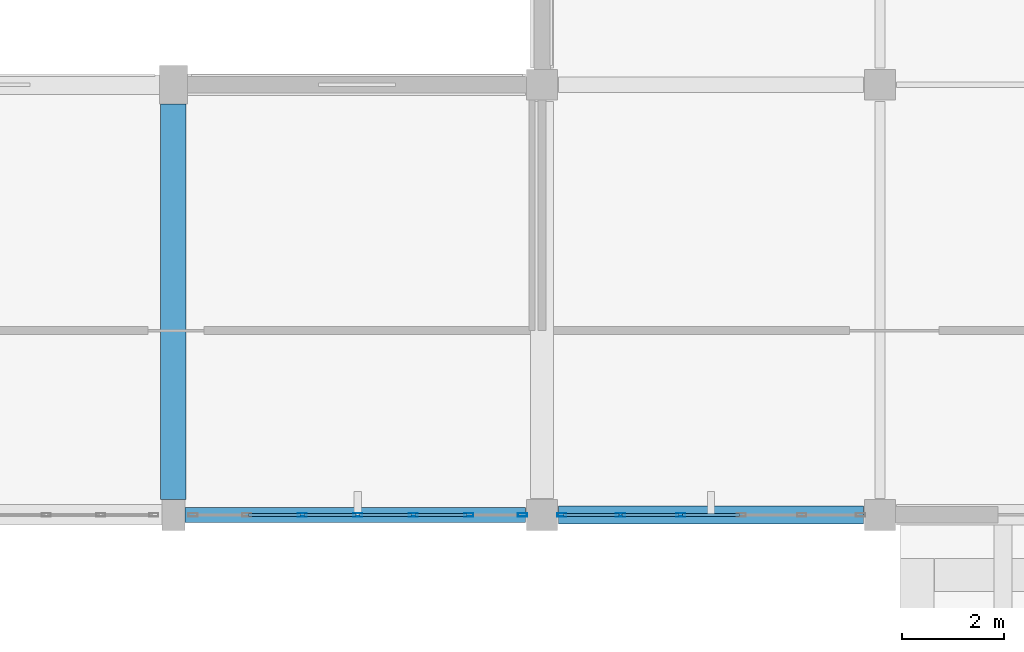
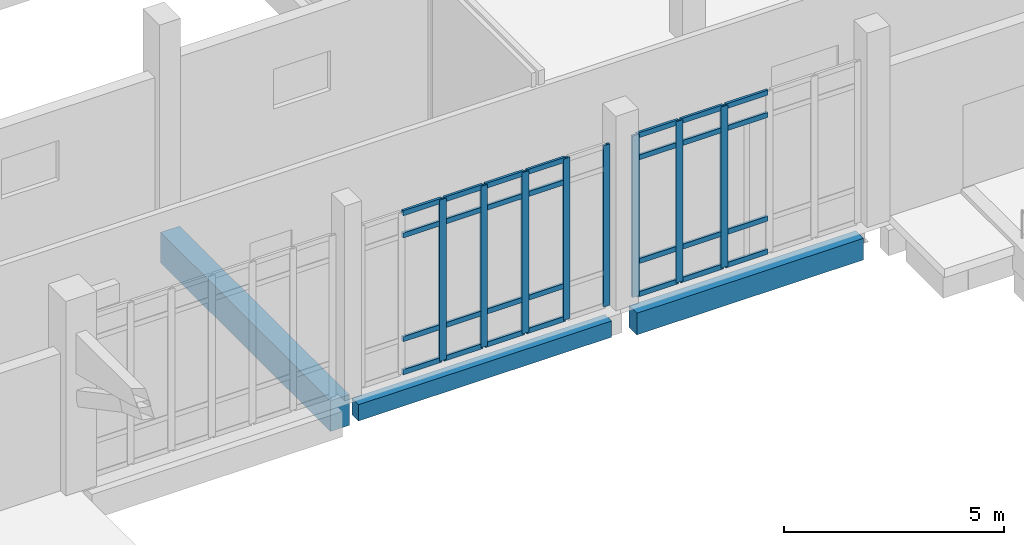
# One storey, part 54 of 110: 36 members, 3 beams, 2 elements without a shape of their own.
"""IFC4 building model written with IfcOpenShell, lengths in metres."""

from ifc_helpers import new_model, si_unit, direction, frame, origin, origin_2d, place, context, subcontext, project, spatial, rectangle, hollow_rectangle, extrude, material, material_profile, profile_set, type_object, element, aggregate, save


model = new_model("IFC4")

# Units and contexts
model_context = context("Model", 3, precision=1e-05, world=origin(), true_north=direction((0.0, 1.0)))
body_context = subcontext(model_context, "Body", "Model", "MODEL_VIEW")
ifc_project = project(units=[si_unit("LENGTHUNIT", "METRE"), si_unit("AREAUNIT", "SQUARE_METRE"), si_unit("VOLUMEUNIT", "CUBIC_METRE"), si_unit("PLANEANGLEUNIT", "RADIAN"), si_unit("MASSUNIT", "GRAM", prefix="KILO")], contexts=[model_context])

# Site, building, storey
site_placement = place(None, origin())
site = spatial("IfcSite", under=ifc_project, at=site_placement, CompositionType="ELEMENT")
building_placement = place(site_placement, origin())
building = spatial("IfcBuilding", under=site, at=building_placement, Name="Kalluvel Institute of Natural Sciences", CompositionType="ELEMENT")
storey_placement = place(building_placement, origin())
storey = spatial("IfcBuildingStorey", under=building, at=storey_placement, Name="L00", CompositionType="ELEMENT", Elevation=0.0)

# Beam
ifc_material_1 = material(Name="Concrete M50", Category="concrete")
ifc_material_profile_1 = material_profile(ifc_material_1, rectangle(XDim=0.5, YDim=0.85009765625, at=origin_2d()), Name="RCB 500x850")
ifc_profile_set_1 = profile_set([ifc_material_profile_1], Name="Concrete M50")
beam_type_1 = type_object("IfcBeamType", Name="BM-RC500x850", PredefinedType="BEAM", material=ifc_profile_set_1)
beam_1_placement = place(storey_placement, frame((122.0, 103.10009765625, -0.784912109375), z_axis=(0.0, 1.0, 0.0), x_axis=(-1.0, 0.0, 0.0)))
element("IfcBeam", 1, at=beam_1_placement, inside=storey, type_object=beam_type_1, Name="L00 girder GIR-L00-NS-X1220-Y1028", PredefinedType="BEAM", context=body_context, shape_type="SweptSolid", body=[
    extrude(rectangle(XDim=0.5, YDim=0.85009765625, at=origin_2d()), origin(), (0.0, 0.0, 1.0), 7.724853515625),
])

# Curtain wall, members
ifc_material_2 = material(Name="Aluminium AW-6063 T6", Category="aluminium")
curtain_wall_type = type_object("IfcCurtainWallType", Name="CW-CLN-54", PredefinedType="USERDEFINED", material=ifc_material_2)
curtain_wall_1_placement = place(storey_placement, origin())
curtain_wall_1 = element("IfcCurtainWall", 2, at=curtain_wall_1_placement, inside=storey, type_object=curtain_wall_type, Name="L00 Gothic lancet curtain wall CWA-L00-X1224-Y1028", ObjectType="UNITISED LANCET FACADE", PredefinedType="USERDEFINED")
ifc_material_profile_2 = material_profile(ifc_material_2, hollow_rectangle(XDim=0.06494140625, YDim=0.179931640625, WallThickness=0.00439453125, at=origin_2d()), Name="CWM 65x180")
ifc_profile_set_2 = profile_set([ifc_material_profile_2], Name="Aluminium AW-6063 T6")
member_type_1 = type_object("IfcMemberType", Name="CWM-65x180", PredefinedType="MULLION", material=ifc_profile_set_2)
member_1_placement = place(storey_placement, frame((124.5166015625, 102.800048828125, 0.0), z_axis=(0.0, 0.0, 1.0), x_axis=(0.0, 1.0, 0.0)))
member_1 = element("IfcMember", 3, at=member_1_placement, type_object=member_type_1, Name="CW-09 mullion 3", PredefinedType="MULLION", context=body_context, shape_type="SweptSolid", body=[
    extrude(hollow_rectangle(XDim=0.06494140625, YDim=0.179931640625, WallThickness=0.00439453125, at=origin_2d()), origin(), (0.0, 0.0, 1.0), 4.47998046875),
])
member_2_placement = place(storey_placement, frame((125.60009765625, 102.800048828125, 0.0), z_axis=(0.0, 0.0, 1.0), x_axis=(0.0, 1.0, 0.0)))
member_2 = element("IfcMember", 4, at=member_2_placement, type_object=member_type_1, Name="CW-09 mullion 4", PredefinedType="MULLION", context=body_context, shape_type="SweptSolid", body=[
    extrude(hollow_rectangle(XDim=0.06494140625, YDim=0.179931640625, WallThickness=0.00439453125, at=origin_2d()), origin(), (0.0, 0.0, 1.0), 4.47998046875),
])
member_3_placement = place(storey_placement, frame((126.683349609375, 102.800048828125, 0.0), z_axis=(0.0, 0.0, 1.0), x_axis=(0.0, 1.0, 0.0)))
member_3 = element("IfcMember", 5, at=member_3_placement, type_object=member_type_1, Name="CW-09 mullion 5", PredefinedType="MULLION", context=body_context, shape_type="SweptSolid", body=[
    extrude(hollow_rectangle(XDim=0.06494140625, YDim=0.179931640625, WallThickness=0.00439453125, at=origin_2d()), origin(), (0.0, 0.0, 1.0), 4.47998046875),
])
member_4_placement = place(storey_placement, frame((127.7666015625, 102.800048828125, 0.0), z_axis=(0.0, 0.0, 1.0), x_axis=(0.0, 1.0, 0.0)))
member_4 = element("IfcMember", 6, at=member_4_placement, type_object=member_type_1, Name="CW-09 mullion 6", PredefinedType="MULLION", context=body_context, shape_type="SweptSolid", body=[
    extrude(hollow_rectangle(XDim=0.06494140625, YDim=0.179931640625, WallThickness=0.00439453125, at=origin_2d()), origin(), (0.0, 0.0, 1.0), 4.47998046875),
])
member_5_placement = place(storey_placement, frame((128.8173828125, 102.800048828125, 0.0), z_axis=(0.0, 0.0, 1.0), x_axis=(0.0, 1.0, 0.0)))
member_5 = element("IfcMember", 7, at=member_5_placement, type_object=member_type_1, Name="CW-09 mullion 7", PredefinedType="MULLION", context=body_context, shape_type="SweptSolid", body=[
    extrude(hollow_rectangle(XDim=0.06494140625, YDim=0.179931640625, WallThickness=0.00439453125, at=origin_2d()), origin(), (0.0, 0.0, 1.0), 4.47998046875),
])

curtain_wall_2_placement = place(storey_placement, origin())
curtain_wall_2 = element("IfcCurtainWall", 8, at=curtain_wall_2_placement, inside=storey, type_object=curtain_wall_type, Name="L00 Gothic lancet curtain wall CWA-L00-X1296-Y1028", ObjectType="UNITISED LANCET FACADE", PredefinedType="USERDEFINED")
member_6_placement = place(storey_placement, frame((129.58251953125, 102.800048828125, 0.0), z_axis=(0.0, 0.0, 1.0), x_axis=(0.0, 1.0, 0.0)))
member_6 = element("IfcMember", 9, at=member_6_placement, type_object=member_type_1, Name="CW-09 mullion 1", PredefinedType="MULLION", context=body_context, shape_type="SweptSolid", body=[
    extrude(hollow_rectangle(XDim=0.06494140625, YDim=0.179931640625, WallThickness=0.00439453125, at=origin_2d()), origin(), (0.0, 0.0, 1.0), 4.47998046875),
])
member_7_placement = place(storey_placement, frame((130.72998046875, 102.800048828125, 0.0), z_axis=(0.0, 0.0, 1.0), x_axis=(0.0, 1.0, 0.0)))
member_7 = element("IfcMember", 10, at=member_7_placement, type_object=member_type_1, Name="CW-09 mullion 2", PredefinedType="MULLION", context=body_context, shape_type="SweptSolid", body=[
    extrude(hollow_rectangle(XDim=0.06494140625, YDim=0.179931640625, WallThickness=0.00439453125, at=origin_2d()), origin(), (0.0, 0.0, 1.0), 4.47998046875),
])
member_8_placement = place(storey_placement, frame((131.909912109375, 102.800048828125, 0.0), z_axis=(0.0, 0.0, 1.0), x_axis=(0.0, 1.0, 0.0)))
member_8 = element("IfcMember", 11, at=member_8_placement, type_object=member_type_1, Name="CW-09 mullion 3", PredefinedType="MULLION", context=body_context, shape_type="SweptSolid", body=[
    extrude(hollow_rectangle(XDim=0.06494140625, YDim=0.179931640625, WallThickness=0.00439453125, at=origin_2d()), origin(), (0.0, 0.0, 1.0), 4.47998046875),
])

# Member
ifc_material_profile_3 = material_profile(ifc_material_2, hollow_rectangle(XDim=0.06494140625, YDim=0.139892578125, WallThickness=0.00439453125, at=origin_2d()), Name="CWT 65x140")
ifc_profile_set_3 = profile_set([ifc_material_profile_3], Name="Aluminium AW-6063 T6")
member_type_2 = type_object("IfcMemberType", Name="CWT-65x140", PredefinedType="USERDEFINED", material=ifc_profile_set_3)
member_9_placement = place(storey_placement, frame((123.4658203125, 102.800048828125, 0.032470703125), z_axis=(1.0, 0.0, 0.0), x_axis=(0.0, 1.0, 0.0)))
member_9 = element("IfcMember", 12, at=member_9_placement, type_object=member_type_2, Name="CW-09 transom 2.1", ObjectType="TRANSOM", PredefinedType="USERDEFINED", context=body_context, shape_type="SweptSolid", body=[
    extrude(hollow_rectangle(XDim=0.06494140625, YDim=0.139892578125, WallThickness=0.00439453125, at=origin_2d()), origin(), (0.0, 0.0, 1.0), 1.018310546875),
])

member_10_placement = place(storey_placement, frame((123.4658203125, 102.800048828125, 0.949951171875), z_axis=(1.0, 0.0, 0.0), x_axis=(0.0, 1.0, 0.0)))
member_10 = element("IfcMember", 13, at=member_10_placement, type_object=member_type_2, Name="CW-09 transom 2.2", ObjectType="TRANSOM", PredefinedType="USERDEFINED", context=body_context, shape_type="SweptSolid", body=[
    extrude(hollow_rectangle(XDim=0.06494140625, YDim=0.139892578125, WallThickness=0.00439453125, at=origin_2d()), origin(), (0.0, 0.0, 1.0), 1.018310546875),
])

member_11_placement = place(storey_placement, frame((123.4658203125, 102.800048828125, 3.830078125), z_axis=(1.0, 0.0, 0.0), x_axis=(0.0, 1.0, 0.0)))
member_11 = element("IfcMember", 14, at=member_11_placement, type_object=member_type_2, Name="CW-09 transom 2.3", ObjectType="TRANSOM", PredefinedType="USERDEFINED", context=body_context, shape_type="SweptSolid", body=[
    extrude(hollow_rectangle(XDim=0.06494140625, YDim=0.139892578125, WallThickness=0.00439453125, at=origin_2d()), origin(), (0.0, 0.0, 1.0), 1.018310546875),
])

member_12_placement = place(storey_placement, frame((123.4658203125, 102.800048828125, 4.447509765625), z_axis=(1.0, 0.0, 0.0), x_axis=(0.0, 1.0, 0.0)))
member_12 = element("IfcMember", 15, at=member_12_placement, type_object=member_type_2, Name="CW-09 transom 2.4", ObjectType="TRANSOM", PredefinedType="USERDEFINED", context=body_context, shape_type="SweptSolid", body=[
    extrude(hollow_rectangle(XDim=0.06494140625, YDim=0.139892578125, WallThickness=0.00439453125, at=origin_2d()), origin(), (0.0, 0.0, 1.0), 1.018310546875),
])

member_13_placement = place(storey_placement, frame((124.549072265625, 102.800048828125, 0.032470703125), z_axis=(1.0, 0.0, 0.0), x_axis=(0.0, 1.0, 0.0)))
member_13 = element("IfcMember", 16, at=member_13_placement, type_object=member_type_2, Name="CW-09 transom 3.1", ObjectType="TRANSOM", PredefinedType="USERDEFINED", context=body_context, shape_type="SweptSolid", body=[
    extrude(hollow_rectangle(XDim=0.06494140625, YDim=0.139892578125, WallThickness=0.00439453125, at=origin_2d()), origin(), (0.0, 0.0, 1.0), 1.018310546875),
])

member_14_placement = place(storey_placement, frame((124.549072265625, 102.800048828125, 0.949951171875), z_axis=(1.0, 0.0, 0.0), x_axis=(0.0, 1.0, 0.0)))
member_14 = element("IfcMember", 17, at=member_14_placement, type_object=member_type_2, Name="CW-09 transom 3.2", ObjectType="TRANSOM", PredefinedType="USERDEFINED", context=body_context, shape_type="SweptSolid", body=[
    extrude(hollow_rectangle(XDim=0.06494140625, YDim=0.139892578125, WallThickness=0.00439453125, at=origin_2d()), origin(), (0.0, 0.0, 1.0), 1.018310546875),
])

member_15_placement = place(storey_placement, frame((124.549072265625, 102.800048828125, 3.830078125), z_axis=(1.0, 0.0, 0.0), x_axis=(0.0, 1.0, 0.0)))
member_15 = element("IfcMember", 18, at=member_15_placement, type_object=member_type_2, Name="CW-09 transom 3.3", ObjectType="TRANSOM", PredefinedType="USERDEFINED", context=body_context, shape_type="SweptSolid", body=[
    extrude(hollow_rectangle(XDim=0.06494140625, YDim=0.139892578125, WallThickness=0.00439453125, at=origin_2d()), origin(), (0.0, 0.0, 1.0), 1.018310546875),
])

member_16_placement = place(storey_placement, frame((124.549072265625, 102.800048828125, 4.447509765625), z_axis=(1.0, 0.0, 0.0), x_axis=(0.0, 1.0, 0.0)))
member_16 = element("IfcMember", 19, at=member_16_placement, type_object=member_type_2, Name="CW-09 transom 3.4", ObjectType="TRANSOM", PredefinedType="USERDEFINED", context=body_context, shape_type="SweptSolid", body=[
    extrude(hollow_rectangle(XDim=0.06494140625, YDim=0.139892578125, WallThickness=0.00439453125, at=origin_2d()), origin(), (0.0, 0.0, 1.0), 1.018310546875),
])

member_17_placement = place(storey_placement, frame((125.632568359375, 102.800048828125, 0.032470703125), z_axis=(1.0, 0.0, 0.0), x_axis=(0.0, 1.0, 0.0)))
member_17 = element("IfcMember", 20, at=member_17_placement, type_object=member_type_2, Name="CW-09 transom 4.1", ObjectType="TRANSOM", PredefinedType="USERDEFINED", context=body_context, shape_type="SweptSolid", body=[
    extrude(hollow_rectangle(XDim=0.06494140625, YDim=0.139892578125, WallThickness=0.00439453125, at=origin_2d()), origin(), (0.0, 0.0, 1.0), 1.018310546875),
])

member_18_placement = place(storey_placement, frame((125.632568359375, 102.800048828125, 0.949951171875), z_axis=(1.0, 0.0, 0.0), x_axis=(0.0, 1.0, 0.0)))
member_18 = element("IfcMember", 21, at=member_18_placement, type_object=member_type_2, Name="CW-09 transom 4.2", ObjectType="TRANSOM", PredefinedType="USERDEFINED", context=body_context, shape_type="SweptSolid", body=[
    extrude(hollow_rectangle(XDim=0.06494140625, YDim=0.139892578125, WallThickness=0.00439453125, at=origin_2d()), origin(), (0.0, 0.0, 1.0), 1.018310546875),
])

member_19_placement = place(storey_placement, frame((125.632568359375, 102.800048828125, 3.830078125), z_axis=(1.0, 0.0, 0.0), x_axis=(0.0, 1.0, 0.0)))
member_19 = element("IfcMember", 22, at=member_19_placement, type_object=member_type_2, Name="CW-09 transom 4.3", ObjectType="TRANSOM", PredefinedType="USERDEFINED", context=body_context, shape_type="SweptSolid", body=[
    extrude(hollow_rectangle(XDim=0.06494140625, YDim=0.139892578125, WallThickness=0.00439453125, at=origin_2d()), origin(), (0.0, 0.0, 1.0), 1.018310546875),
])

member_20_placement = place(storey_placement, frame((125.632568359375, 102.800048828125, 4.447509765625), z_axis=(1.0, 0.0, 0.0), x_axis=(0.0, 1.0, 0.0)))
member_20 = element("IfcMember", 23, at=member_20_placement, type_object=member_type_2, Name="CW-09 transom 4.4", ObjectType="TRANSOM", PredefinedType="USERDEFINED", context=body_context, shape_type="SweptSolid", body=[
    extrude(hollow_rectangle(XDim=0.06494140625, YDim=0.139892578125, WallThickness=0.00439453125, at=origin_2d()), origin(), (0.0, 0.0, 1.0), 1.018310546875),
])

member_21_placement = place(storey_placement, frame((126.7158203125, 102.800048828125, 0.032470703125), z_axis=(1.0, 0.0, 0.0), x_axis=(0.0, 1.0, 0.0)))
member_21 = element("IfcMember", 24, at=member_21_placement, type_object=member_type_2, Name="CW-09 transom 5.1", ObjectType="TRANSOM", PredefinedType="USERDEFINED", context=body_context, shape_type="SweptSolid", body=[
    extrude(hollow_rectangle(XDim=0.06494140625, YDim=0.139892578125, WallThickness=0.00439453125, at=origin_2d()), origin(), (0.0, 0.0, 1.0), 1.018310546875),
])

member_22_placement = place(storey_placement, frame((126.7158203125, 102.800048828125, 0.949951171875), z_axis=(1.0, 0.0, 0.0), x_axis=(0.0, 1.0, 0.0)))
member_22 = element("IfcMember", 25, at=member_22_placement, type_object=member_type_2, Name="CW-09 transom 5.2", ObjectType="TRANSOM", PredefinedType="USERDEFINED", context=body_context, shape_type="SweptSolid", body=[
    extrude(hollow_rectangle(XDim=0.06494140625, YDim=0.139892578125, WallThickness=0.00439453125, at=origin_2d()), origin(), (0.0, 0.0, 1.0), 1.018310546875),
])

member_23_placement = place(storey_placement, frame((126.7158203125, 102.800048828125, 3.830078125), z_axis=(1.0, 0.0, 0.0), x_axis=(0.0, 1.0, 0.0)))
member_23 = element("IfcMember", 26, at=member_23_placement, type_object=member_type_2, Name="CW-09 transom 5.3", ObjectType="TRANSOM", PredefinedType="USERDEFINED", context=body_context, shape_type="SweptSolid", body=[
    extrude(hollow_rectangle(XDim=0.06494140625, YDim=0.139892578125, WallThickness=0.00439453125, at=origin_2d()), origin(), (0.0, 0.0, 1.0), 1.018310546875),
])

member_24_placement = place(storey_placement, frame((126.7158203125, 102.800048828125, 4.447509765625), z_axis=(1.0, 0.0, 0.0), x_axis=(0.0, 1.0, 0.0)))
member_24 = element("IfcMember", 27, at=member_24_placement, type_object=member_type_2, Name="CW-09 transom 5.4", ObjectType="TRANSOM", PredefinedType="USERDEFINED", context=body_context, shape_type="SweptSolid", body=[
    extrude(hollow_rectangle(XDim=0.06494140625, YDim=0.139892578125, WallThickness=0.00439453125, at=origin_2d()), origin(), (0.0, 0.0, 1.0), 1.018310546875),
])

aggregate(curtain_wall_1, [member_1, member_2, member_3, member_4, member_5, member_9, member_10, member_11, member_12, member_13, member_14, member_15, member_16, member_17, member_18, member_19, member_20, member_21, member_22, member_23, member_24])

member_25_placement = place(storey_placement, frame((129.614990234375, 102.800048828125, 0.032470703125), z_axis=(1.0, 0.0, 0.0), x_axis=(0.0, 1.0, 0.0)))
member_25 = element("IfcMember", 28, at=member_25_placement, type_object=member_type_2, Name="CW-09 transom 1.1", ObjectType="TRANSOM", PredefinedType="USERDEFINED", context=body_context, shape_type="SweptSolid", body=[
    extrude(hollow_rectangle(XDim=0.06494140625, YDim=0.139892578125, WallThickness=0.00439453125, at=origin_2d()), origin(), (0.0, 0.0, 1.0), 1.08251953125),
])

member_26_placement = place(storey_placement, frame((129.614990234375, 102.800048828125, 0.949951171875), z_axis=(1.0, 0.0, 0.0), x_axis=(0.0, 1.0, 0.0)))
member_26 = element("IfcMember", 29, at=member_26_placement, type_object=member_type_2, Name="CW-09 transom 1.2", ObjectType="TRANSOM", PredefinedType="USERDEFINED", context=body_context, shape_type="SweptSolid", body=[
    extrude(hollow_rectangle(XDim=0.06494140625, YDim=0.139892578125, WallThickness=0.00439453125, at=origin_2d()), origin(), (0.0, 0.0, 1.0), 1.08251953125),
])

member_27_placement = place(storey_placement, frame((129.614990234375, 102.800048828125, 3.830078125), z_axis=(1.0, 0.0, 0.0), x_axis=(0.0, 1.0, 0.0)))
member_27 = element("IfcMember", 30, at=member_27_placement, type_object=member_type_2, Name="CW-09 transom 1.3", ObjectType="TRANSOM", PredefinedType="USERDEFINED", context=body_context, shape_type="SweptSolid", body=[
    extrude(hollow_rectangle(XDim=0.06494140625, YDim=0.139892578125, WallThickness=0.00439453125, at=origin_2d()), origin(), (0.0, 0.0, 1.0), 1.08251953125),
])

member_28_placement = place(storey_placement, frame((129.614990234375, 102.800048828125, 4.447509765625), z_axis=(1.0, 0.0, 0.0), x_axis=(0.0, 1.0, 0.0)))
member_28 = element("IfcMember", 31, at=member_28_placement, type_object=member_type_2, Name="CW-09 transom 1.4", ObjectType="TRANSOM", PredefinedType="USERDEFINED", context=body_context, shape_type="SweptSolid", body=[
    extrude(hollow_rectangle(XDim=0.06494140625, YDim=0.139892578125, WallThickness=0.00439453125, at=origin_2d()), origin(), (0.0, 0.0, 1.0), 1.08251953125),
])

member_29_placement = place(storey_placement, frame((130.762451171875, 102.800048828125, 0.032470703125), z_axis=(1.0, 0.0, 0.0), x_axis=(0.0, 1.0, 0.0)))
member_29 = element("IfcMember", 32, at=member_29_placement, type_object=member_type_2, Name="CW-09 transom 2.1", ObjectType="TRANSOM", PredefinedType="USERDEFINED", context=body_context, shape_type="SweptSolid", body=[
    extrude(hollow_rectangle(XDim=0.06494140625, YDim=0.139892578125, WallThickness=0.00439453125, at=origin_2d()), origin(), (0.0, 0.0, 1.0), 1.114990234375),
])

member_30_placement = place(storey_placement, frame((130.762451171875, 102.800048828125, 0.949951171875), z_axis=(1.0, 0.0, 0.0), x_axis=(0.0, 1.0, 0.0)))
member_30 = element("IfcMember", 33, at=member_30_placement, type_object=member_type_2, Name="CW-09 transom 2.2", ObjectType="TRANSOM", PredefinedType="USERDEFINED", context=body_context, shape_type="SweptSolid", body=[
    extrude(hollow_rectangle(XDim=0.06494140625, YDim=0.139892578125, WallThickness=0.00439453125, at=origin_2d()), origin(), (0.0, 0.0, 1.0), 1.114990234375),
])

member_31_placement = place(storey_placement, frame((130.762451171875, 102.800048828125, 3.830078125), z_axis=(1.0, 0.0, 0.0), x_axis=(0.0, 1.0, 0.0)))
member_31 = element("IfcMember", 34, at=member_31_placement, type_object=member_type_2, Name="CW-09 transom 2.3", ObjectType="TRANSOM", PredefinedType="USERDEFINED", context=body_context, shape_type="SweptSolid", body=[
    extrude(hollow_rectangle(XDim=0.06494140625, YDim=0.139892578125, WallThickness=0.00439453125, at=origin_2d()), origin(), (0.0, 0.0, 1.0), 1.114990234375),
])

member_32_placement = place(storey_placement, frame((130.762451171875, 102.800048828125, 4.447509765625), z_axis=(1.0, 0.0, 0.0), x_axis=(0.0, 1.0, 0.0)))
member_32 = element("IfcMember", 35, at=member_32_placement, type_object=member_type_2, Name="CW-09 transom 2.4", ObjectType="TRANSOM", PredefinedType="USERDEFINED", context=body_context, shape_type="SweptSolid", body=[
    extrude(hollow_rectangle(XDim=0.06494140625, YDim=0.139892578125, WallThickness=0.00439453125, at=origin_2d()), origin(), (0.0, 0.0, 1.0), 1.114990234375),
])

member_33_placement = place(storey_placement, frame((131.9423828125, 102.800048828125, 0.032470703125), z_axis=(1.0, 0.0, 0.0), x_axis=(0.0, 1.0, 0.0)))
member_33 = element("IfcMember", 36, at=member_33_placement, type_object=member_type_2, Name="CW-09 transom 3.1", ObjectType="TRANSOM", PredefinedType="USERDEFINED", context=body_context, shape_type="SweptSolid", body=[
    extrude(hollow_rectangle(XDim=0.06494140625, YDim=0.139892578125, WallThickness=0.00439453125, at=origin_2d()), origin(), (0.0, 0.0, 1.0), 1.115234375),
])

member_34_placement = place(storey_placement, frame((131.9423828125, 102.800048828125, 0.949951171875), z_axis=(1.0, 0.0, 0.0), x_axis=(0.0, 1.0, 0.0)))
member_34 = element("IfcMember", 37, at=member_34_placement, type_object=member_type_2, Name="CW-09 transom 3.2", ObjectType="TRANSOM", PredefinedType="USERDEFINED", context=body_context, shape_type="SweptSolid", body=[
    extrude(hollow_rectangle(XDim=0.06494140625, YDim=0.139892578125, WallThickness=0.00439453125, at=origin_2d()), origin(), (0.0, 0.0, 1.0), 1.115234375),
])

member_35_placement = place(storey_placement, frame((131.9423828125, 102.800048828125, 3.830078125), z_axis=(1.0, 0.0, 0.0), x_axis=(0.0, 1.0, 0.0)))
member_35 = element("IfcMember", 38, at=member_35_placement, type_object=member_type_2, Name="CW-09 transom 3.3", ObjectType="TRANSOM", PredefinedType="USERDEFINED", context=body_context, shape_type="SweptSolid", body=[
    extrude(hollow_rectangle(XDim=0.06494140625, YDim=0.139892578125, WallThickness=0.00439453125, at=origin_2d()), origin(), (0.0, 0.0, 1.0), 1.115234375),
])

member_36_placement = place(storey_placement, frame((131.9423828125, 102.800048828125, 4.447509765625), z_axis=(1.0, 0.0, 0.0), x_axis=(0.0, 1.0, 0.0)))
member_36 = element("IfcMember", 39, at=member_36_placement, type_object=member_type_2, Name="CW-09 transom 3.4", ObjectType="TRANSOM", PredefinedType="USERDEFINED", context=body_context, shape_type="SweptSolid", body=[
    extrude(hollow_rectangle(XDim=0.06494140625, YDim=0.139892578125, WallThickness=0.00439453125, at=origin_2d()), origin(), (0.0, 0.0, 1.0), 1.115234375),
])

aggregate(curtain_wall_2, [member_6, member_7, member_8, member_25, member_26, member_27, member_28, member_29, member_30, member_31, member_32, member_33, member_34, member_35, member_36])

# Beams
ifc_material_3 = material(Name="Concrete M40", Category="concrete")
ifc_material_profile_4 = material_profile(ifc_material_3, rectangle(XDim=0.300048828125, YDim=0.449951171875, at=origin_2d()), Name="RCB 300x450")
ifc_profile_set_4 = profile_set([ifc_material_profile_4], Name="Concrete M40")
beam_type_2 = type_object("IfcBeamType", Name="SP-RC300x450", PredefinedType="SPANDREL", material=ifc_profile_set_4)
beam_2_placement = place(storey_placement, frame((122.22509765625, 102.800048828125, -0.5849609375), z_axis=(1.0, 0.0, 0.0), x_axis=(0.0, 1.0, 0.0)))
element("IfcBeam", 40, at=beam_2_placement, inside=storey, type_object=beam_type_2, Name="L00 girder GIR-L00-EW-X1220-Y1028", PredefinedType="SPANDREL", context=body_context, shape_type="SweptSolid", body=[
    extrude(rectangle(XDim=0.300048828125, YDim=0.449951171875, at=origin_2d()), origin(), (0.0, 0.0, 1.0), 6.64990234375),
])
ifc_material_profile_5 = material_profile(ifc_material_3, rectangle(XDim=0.35009765625, YDim=0.60009765625, at=origin_2d()), Name="RCB 350x600")
ifc_profile_set_5 = profile_set([ifc_material_profile_5], Name="Concrete M40")
beam_type_3 = type_object("IfcBeamType", Name="SP-RC350x600", PredefinedType="SPANDREL", material=ifc_profile_set_5)
beam_3_placement = place(storey_placement, frame((129.52490234375, 102.800048828125, -0.659912109375), z_axis=(1.0, 0.0, 0.0), x_axis=(0.0, 1.0, 0.0)))
element("IfcBeam", 41, at=beam_3_placement, inside=storey, type_object=beam_type_3, Name="L00 girder GIR-L00-EW-X1292-Y1028", PredefinedType="SPANDREL", context=body_context, shape_type="SweptSolid", body=[
    extrude(rectangle(XDim=0.35009765625, YDim=0.60009765625, at=origin_2d()), origin(), (0.0, 0.0, 1.0), 5.9501953125),
])

save(model, "model.ifc")
